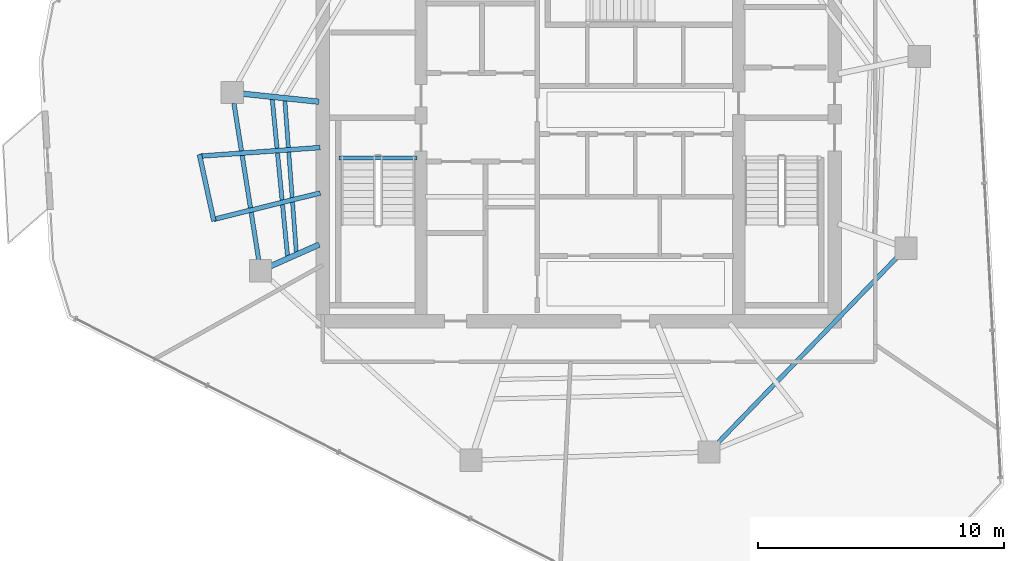
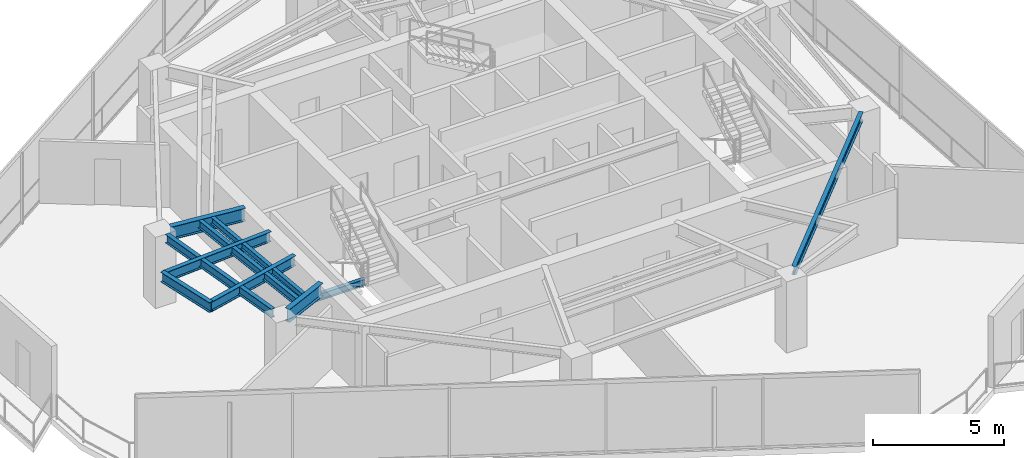
# One storey, part 4 of 18: 10 beams.
"""IFC4 building model written with IfcOpenShell, lengths in metres."""

from ifc_helpers import new_model, si_unit, direction, frame, origin, origin_2d, place, context, subcontext, project, spatial, i_section, extrude, material, material_profile, profile_set, type_object, element, save


model = new_model("IFC4")

# Units and contexts
model_context = context("Model", 3, precision=1e-05, world=origin(), true_north=direction((0.0, 1.0)))
body_context = subcontext(model_context, "Body", "Model", "MODEL_VIEW")
ifc_project = project(units=[si_unit("LENGTHUNIT", "METRE"), si_unit("AREAUNIT", "SQUARE_METRE"), si_unit("VOLUMEUNIT", "CUBIC_METRE"), si_unit("PLANEANGLEUNIT", "RADIAN"), si_unit("MASSUNIT", "GRAM", prefix="KILO")], contexts=[model_context])

# Site, building, storey
site_placement = place(None, origin())
site = spatial("IfcSite", under=ifc_project, at=site_placement, CompositionType="ELEMENT")
building_placement = place(site_placement, origin())
building = spatial("IfcBuilding", under=site, at=building_placement, Name="Qarnah Convention Tower", CompositionType="ELEMENT")
storey_placement = place(building_placement, frame((0.0, 0.0, 191.39990234375)))
storey = spatial("IfcBuildingStorey", under=building, at=storey_placement, Name="L51", CompositionType="ELEMENT", Elevation=191.39990234375)

# Beams
ifc_material = material(Name="Structural steel S355JR", Category="steel")
ifc_material_profile_1 = material_profile(ifc_material, i_section(OverallWidth=0.19189453125, OverallDepth=0.464111328125, WebThickness=0.010986328125, FlangeThickness=0.01806640625, at=origin_2d()), Name="W460X89")
ifc_profile_set_1 = profile_set([ifc_material_profile_1], Name="Structural steel S355JR")
beam_type_1 = type_object("IfcBeamType", Name="BM-CANT-W460A", PredefinedType="BEAM", material=ifc_profile_set_1)
beam_1_placement = place(storey_placement, frame((26.699951171875, 25.64794921875, 3.088134765625), z_axis=(-0.997436151804, -0.071562022574, 0.0), x_axis=(0.071562022574, -0.997436151804, 0.0)))
element("IfcBeam", 1, at=beam_1_placement, inside=storey, type_object=beam_type_1, Name="L51 beam BM-L51-CNT-02-1", PredefinedType="BEAM", context=body_context, shape_type="SweptSolid", body=[
    extrude(i_section(OverallWidth=0.19189453125, OverallDepth=0.464111328125, WebThickness=0.010986328125, FlangeThickness=0.01806640625, at=origin_2d()), origin(), (0.0, 0.0, 1.0), 4.90234375),
])
beam_2_placement = place(storey_placement, frame((26.702880859375, 23.802001953125, 3.088134765625), z_axis=(-0.970718465503, -0.240220025669, 0.0), x_axis=(0.240220025669, -0.970718465503, 0.0)))
element("IfcBeam", 2, at=beam_2_placement, inside=storey, type_object=beam_type_1, Name="L51 beam BM-L51-CNT-02-2", PredefinedType="BEAM", context=body_context, shape_type="SweptSolid", body=[
    extrude(i_section(OverallWidth=0.19189453125, OverallDepth=0.464111328125, WebThickness=0.010986328125, FlangeThickness=0.01806640625, at=origin_2d()), origin(), (0.0, 0.0, 1.0), 4.466796875),
])
beam_3_placement = place(storey_placement, frame((21.794921875, 25.364990234375, 3.088134765625), z_axis=(0.212191546233, -0.977228094002, 0.0), x_axis=(0.977228094002, 0.212191546233, 0.0)))
element("IfcBeam", 3, at=beam_3_placement, inside=storey, type_object=beam_type_1, Name="L51 spandrel BM-L51-CTIE-02", PredefinedType="SPANDREL", context=body_context, shape_type="SweptSolid", body=[
    extrude(i_section(OverallWidth=0.19189453125, OverallDepth=0.464111328125, WebThickness=0.010986328125, FlangeThickness=0.01806640625, at=origin_2d()), origin(), (0.0, 0.0, 1.0), 2.76708984375),
])
ifc_material_profile_2 = material_profile(ifc_material, i_section(OverallWidth=0.166015625, OverallDepth=0.31201171875, WebThickness=0.007080078125, FlangeThickness=0.010986328125, at=origin_2d()), Name="W310X45")
ifc_profile_set_2 = profile_set([ifc_material_profile_2], Name="Structural steel S355JR")
beam_type_2 = type_object("IfcBeamType", Name="BM-JST-W310", PredefinedType="JOIST", material=ifc_profile_set_2)
beam_4_placement = place(storey_placement, frame((27.4599609375, 25.217041015625, -0.156005859375), z_axis=(1.0, 0.0, 0.0), x_axis=(0.0, 1.0, 0.0)))
element("IfcBeam", 4, at=beam_4_placement, inside=storey, type_object=beam_type_2, Name="L51 stair landing trimmer beam BM-L51-ST1-TRM", PredefinedType="BEAM", context=body_context, shape_type="SweptSolid", body=[
    extrude(i_section(OverallWidth=0.166015625, OverallDepth=0.31201171875, WebThickness=0.007080078125, FlangeThickness=0.010986328125, at=origin_2d()), origin(), (0.0, 0.0, 1.0), 3.179931640625),
])
beam_5_placement = place(storey_placement, frame((25.264892578125, 27.56494140625, 3.1640625), z_axis=(0.075394458527, -0.997153787348, 0.0), x_axis=(0.997153787348, 0.075394458527, 0.0)))
element("IfcBeam", 5, at=beam_5_placement, inside=storey, type_object=beam_type_2, Name="L51 joist BM-L51-IJST-05", PredefinedType="JOIST", context=body_context, shape_type="SweptSolid", body=[
    extrude(i_section(OverallWidth=0.166015625, OverallDepth=0.31201171875, WebThickness=0.007080078125, FlangeThickness=0.010986328125, at=origin_2d()), origin(), (0.0, 0.0, 1.0), 6.194580078125),
])
ifc_material_profile_3 = material_profile(ifc_material, i_section(OverallWidth=0.172119140625, OverallDepth=0.35595703125, WebThickness=0.007080078125, FlangeThickness=0.011962890625, at=origin_2d()), Name="W360X51")
ifc_profile_set_3 = profile_set([ifc_material_profile_3], Name="Structural steel S355JR")
beam_type_3 = type_object("IfcBeamType", Name="BM-JST-W360", PredefinedType="JOIST", material=ifc_profile_set_3)
beam_6_placement = place(storey_placement, frame((24.7529296875, 27.618896484375, 3.14208984375), z_axis=(0.097059533416, -0.995278577572, 0.0), x_axis=(0.995278577572, 0.097059533416, 0.0)))
element("IfcBeam", 6, at=beam_6_placement, inside=storey, type_object=beam_type_3, Name="L51 joist BM-L51-SJST-05", PredefinedType="JOIST", context=body_context, shape_type="SweptSolid", body=[
    extrude(i_section(OverallWidth=0.172119140625, OverallDepth=0.35595703125, WebThickness=0.007080078125, FlangeThickness=0.011962890625, at=origin_2d()), origin(), (0.0, 0.0, 1.0), 6.419189453125),
])
ifc_material_profile_4 = material_profile(ifc_material, i_section(OverallWidth=0.22802734375, OverallDepth=0.60791015625, WebThickness=0.010986328125, FlangeThickness=0.01708984375, at=origin_2d()), Name="W610X113")
ifc_profile_set_4 = profile_set([ifc_material_profile_4], Name="Structural steel S355JR")
beam_type_4 = type_object("IfcBeamType", Name="BM-RAD-W610B", PredefinedType="BEAM", material=ifc_profile_set_4)
beam_7_placement = place(storey_placement, frame((26.65087890625, 27.509033203125, 3.01611328125), z_axis=(-0.99453335923, 0.104419334317, 0.0), x_axis=(-0.104419334317, -0.99453335923, 0.0)))
element("IfcBeam", 7, at=beam_7_placement, inside=storey, type_object=beam_type_4, Name="L51 beam BM-L51-RAD-05", PredefinedType="BEAM", context=body_context, shape_type="SweptSolid", body=[
    extrude(i_section(OverallWidth=0.22802734375, OverallDepth=0.60791015625, WebThickness=0.010986328125, FlangeThickness=0.01708984375, at=origin_2d()), origin(), (0.0, 0.0, 1.0), 3.112060546875),
])
beam_8_placement = place(storey_placement, frame((26.6630859375, 21.708984375, 3.01611328125), z_axis=(-0.913585734164, -0.406646168471, 0.0), x_axis=(0.406646168471, -0.913585734164, 0.0)))
element("IfcBeam", 8, at=beam_8_placement, inside=storey, type_object=beam_type_4, Name="L51 beam BM-L51-RAD-06", PredefinedType="BEAM", context=body_context, shape_type="SweptSolid", body=[
    extrude(i_section(OverallWidth=0.22802734375, OverallDepth=0.60791015625, WebThickness=0.010986328125, FlangeThickness=0.01708984375, at=origin_2d()), origin(), (0.0, 0.0, 1.0), 2.18603515625),
])
ifc_material_profile_5 = material_profile(ifc_material, i_section(OverallWidth=0.179931640625, OverallDepth=0.39990234375, WebThickness=0.009033203125, FlangeThickness=0.013916015625, at=origin_2d()), Name="IPE400")
ifc_profile_set_5 = profile_set([ifc_material_profile_5], Name="Structural steel S355JR")
beam_type_5 = type_object("IfcBeamType", Name="BM-SPN-IPE400", PredefinedType="SPANDREL", material=ifc_profile_set_5)
beam_9_placement = place(storey_placement, frame((23.197021484375, 27.444091796875, 3.1201171875), z_axis=(0.156301127146, -0.987709450017, 0.0), x_axis=(0.987709450017, 0.156301127146, 0.0)))
element("IfcBeam", 9, at=beam_9_placement, inside=storey, type_object=beam_type_5, Name="L51 spandrel BM-L51-SPN-05", PredefinedType="SPANDREL", context=body_context, shape_type="SweptSolid", body=[
    extrude(i_section(OverallWidth=0.179931640625, OverallDepth=0.39990234375, WebThickness=0.009033203125, FlangeThickness=0.013916015625, at=origin_2d()), origin(), (0.0, 0.0, 1.0), 6.443115234375),
])
beam_10_placement = place(storey_placement, frame((42.806884765625, 13.596923828125, 3.1201171875), z_axis=(0.694676898282, 0.719321907767, 0.0), x_axis=(-0.719321907767, 0.694676898282, 0.0)))
element("IfcBeam", 10, at=beam_10_placement, inside=storey, type_object=beam_type_5, Name="L51 spandrel BM-L51-SPN-08", PredefinedType="SPANDREL", context=body_context, shape_type="SweptSolid", body=[
    extrude(i_section(OverallWidth=0.179931640625, OverallDepth=0.39990234375, WebThickness=0.009033203125, FlangeThickness=0.013916015625, at=origin_2d()), origin(), (0.0, 0.0, 1.0), 10.62939453125),
])

save(model, "model.ifc")
